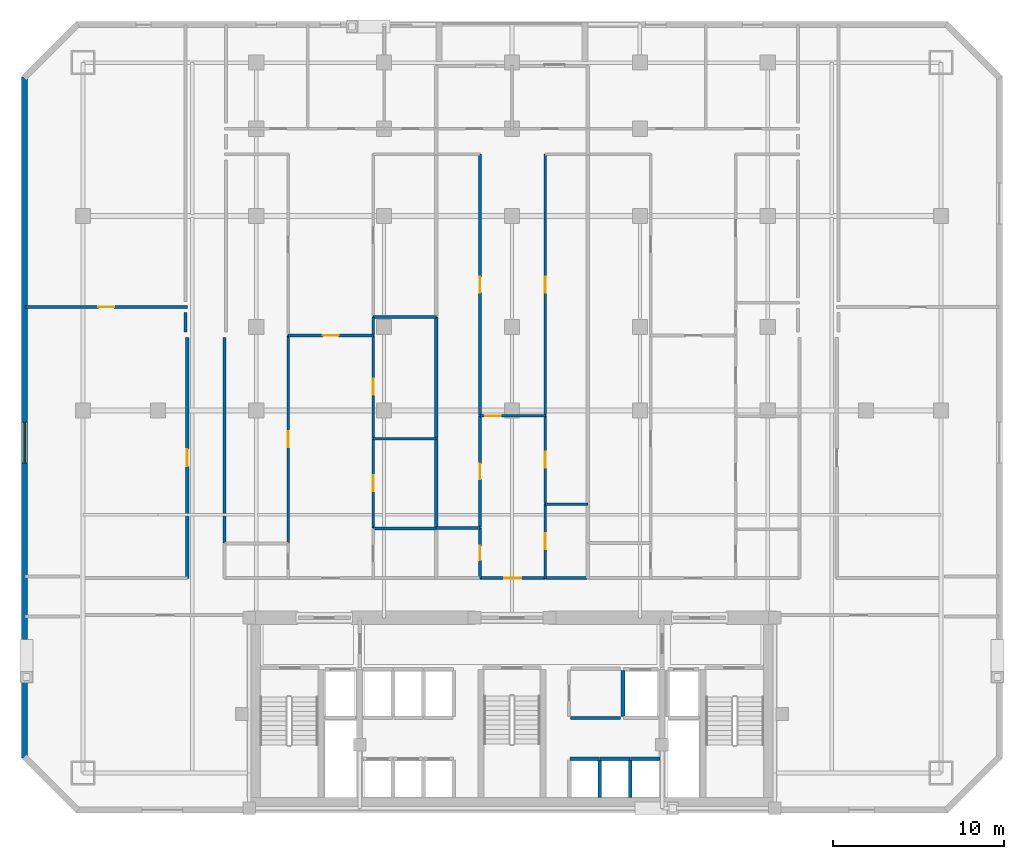
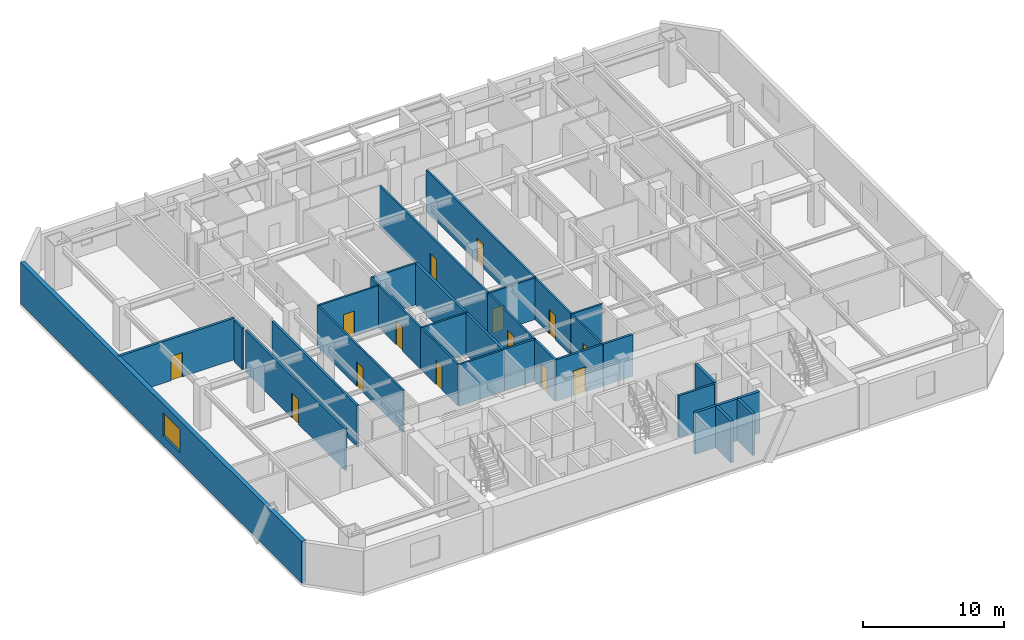
# One storey, part 4 of 9: 33 walls, 14 doors, 1 window, 15 openings.
"""IFC4 building model written with IfcOpenShell, lengths in metres."""

from ifc_helpers import new_model, si_unit, direction, frame, frame_2d, origin, place, context, subcontext, project, spatial, rectangle, extrude, material, layer, layer_set, type_object, element, fill, save


model = new_model("IFC4")

# Units and contexts
model_context = context("Model", 3, precision=1e-05, world=origin(), true_north=direction((0.0, 1.0)))
body_context = subcontext(model_context, "Body", "Model", "MODEL_VIEW")
ifc_project = project(units=[si_unit("LENGTHUNIT", "METRE"), si_unit("AREAUNIT", "SQUARE_METRE"), si_unit("VOLUMEUNIT", "CUBIC_METRE"), si_unit("PLANEANGLEUNIT", "RADIAN"), si_unit("MASSUNIT", "GRAM", prefix="KILO")], contexts=[model_context])

# Site, building, storey
site_placement = place(None, origin())
site = spatial("IfcSite", under=ifc_project, at=site_placement, CompositionType="ELEMENT")
building_placement = place(site_placement, origin())
building = spatial("IfcBuilding", under=site, at=building_placement, Name="Ventersveld Concourse Tower", CompositionType="ELEMENT")
storey_placement = place(building_placement, frame((0.0, 0.0, 45.199951171875)))
storey = spatial("IfcBuildingStorey", under=building, at=storey_placement, Name="L10", CompositionType="ELEMENT", Elevation=45.199951171875)

# Wall
ifc_material_1 = material(Name="Fire-rated autoclaved aerated masonry blockwork", Category="masonry")
ifc_layer_1 = layer(ifc_material_1, 0.179931640625)
ifc_layer_set_1 = layer_set([ifc_layer_1], Name="Fire-rated autoclaved aerated masonry blockwork")
wall_type_1 = type_object("IfcWallType", Name="WL-CORR-180", PredefinedType="PARTITIONING", material=ifc_layer_set_1)
wall_1_placement = place(storey_placement, frame((32.179931640625, 5.570068359375, 0.0), z_axis=(0.0, 0.0, 1.0), x_axis=(1.0, 0.0, 0.0)))
element("IfcWall", 1, at=wall_1_placement, inside=storey, type_object=wall_type_1, Name="L10 Core Bot Wall SP-L10-CBAY1", PredefinedType="PARTITIONING", context=body_context, shape_type="SweptSolid", body=[
    extrude(rectangle(XDim=2.920166015625, YDim=0.179931640625, at=frame_2d((1.4599609375, 0.0))), origin(), (0.0, 0.0, 1.0), 3.60009765625),
])

# Wall, opening, door
wall_2_placement = place(storey_placement, frame((9.7099609375, 13.764892578125, 0.0), z_axis=(0.0, 0.0, 1.0), x_axis=(0.0, 1.0, 0.0)))
wall_2 = element("IfcWall", 2, at=wall_2_placement, inside=storey, type_object=wall_type_1, Name="L10 Interior Partition SP-L10-COR-SP-L10-NWLNG1", PredefinedType="PARTITIONING", context=body_context, shape_type="SweptSolid", body=[
    extrude(rectangle(XDim=14.130126953125, YDim=0.179931640625, at=frame_2d((7.06494140625, 0.0))), origin(), (0.0, 0.0, 1.0), 3.60009765625),
])
opening_1_placement = place(wall_2_placement, frame((6.56494140625, 0.0, 0.0)))
opening_1 = element("IfcOpeningElement", 3, at=opening_1_placement, cuts=wall_2, Name="Opening FD3", PredefinedType="OPENING", context=body_context, shape_type="SweptSolid", body=[
    extrude(rectangle(XDim=1.0, YDim=2.14990234375, at=frame_2d((0.5, 1.074951171875))), frame((0.0, 0.10009765625, 0.0), z_axis=(0.0, -1.0, 0.0), x_axis=(1.0, 0.0, 0.0)), (0.0, 0.0, 1.0), 0.199951171875),
])
ifc_material_2 = material(Name="Solid-core hardwood veneer timber", Category="wood")
door_type_1 = type_object("IfcDoorType", Name="DR-FLAT-100", OperationType="NOTDEFINED", PredefinedType="DOOR", material=ifc_material_2)
door_1_placement = place(opening_1_placement, origin())
door_1 = element("IfcDoor", 4, at=door_1_placement, inside=storey, type_object=door_type_1, Name="L10 Interior Door SP-L10-COR to SP-L10-NWLNG1 (D-L10-0373)", OperationType="SINGLE_SWING_LEFT", OverallHeight=2.14990234375, OverallWidth=1.0, PredefinedType="DOOR", context=body_context, shape_type="SweptSolid", body=[
    extrude(rectangle(XDim=1.0, YDim=2.14990234375, at=frame_2d((0.5, 1.074951171875))), frame((0.0, 0.02490234375, 0.0), z_axis=(0.0, -1.0, 0.0), x_axis=(1.0, 0.0, 0.0)), (0.0, 0.0, 1.0), 0.050048828125),
])
fill(opening_1, door_1)

# Wall
wall_3_placement = place(storey_placement, frame((11.889892578125, 15.836181640625, 0.0), z_axis=(0.0, 0.0, 1.0), x_axis=(0.0, 1.0, 0.0)))
element("IfcWall", 5, at=wall_3_placement, inside=storey, type_object=wall_type_1, Name="L10 Interior Partition SP-L10-COR-SP-L10-10CW-OFFL0", PredefinedType="PARTITIONING", context=body_context, shape_type="SweptSolid", body=[
    extrude(rectangle(XDim=12.058837890625, YDim=0.179931640625, at=frame_2d((6.029296875, 0.0))), origin(), (0.0, 0.0, 1.0), 3.60009765625),
])

# Wall, opening, door
wall_4_placement = place(storey_placement, frame((26.8701171875, 13.77001953125, 0.0), z_axis=(0.0, 0.0, 1.0), x_axis=(1.0, 0.0, 0.0)))
wall_4 = element("IfcWall", 6, at=wall_4_placement, inside=storey, type_object=wall_type_1, Name="L10 Interior Partition SP-L10-COR-SP-L10-10CM-FOY", PredefinedType="PARTITIONING", context=body_context, shape_type="SweptSolid", body=[
    extrude(rectangle(XDim=3.83203125, YDim=0.179931640625, at=frame_2d((1.916015625, 0.0))), origin(), (0.0, 0.0, 1.0), 3.60009765625),
])
opening_2_placement = place(wall_4_placement, frame((1.416015625, 0.0, 0.0)))
opening_2 = element("IfcOpeningElement", 7, at=opening_2_placement, cuts=wall_4, Name="Opening FD3", PredefinedType="OPENING", context=body_context, shape_type="SweptSolid", body=[
    extrude(rectangle(XDim=1.0, YDim=2.14990234375, at=frame_2d((0.5, 1.074951171875))), frame((0.0, 0.10009765625, 0.0), z_axis=(0.0, -1.0, 0.0), x_axis=(1.0, 0.0, 0.0)), (0.0, 0.0, 1.0), 0.199951171875),
])
door_2_placement = place(opening_2_placement, origin())
door_2 = element("IfcDoor", 8, at=door_2_placement, inside=storey, type_object=door_type_1, Name="L10 Interior Door SP-L10-COR to SP-L10-10CM-FOY (FD-L10-0377)", OperationType="SINGLE_SWING_LEFT", OverallHeight=2.14990234375, OverallWidth=1.0, PredefinedType="DOOR", context=body_context, shape_type="SweptSolid", body=[
    extrude(rectangle(XDim=1.0, YDim=2.14990234375, at=frame_2d((0.5, 1.074951171875))), frame((0.0, 0.02490234375, 0.0), z_axis=(0.0, -1.0, 0.0), x_axis=(1.0, 0.0, 0.0)), (0.0, 0.0, 1.0), 0.050048828125),
])
fill(opening_2, door_2)

# Walls
wall_5_placement = place(storey_placement, frame((30.732177734375, 13.77001953125, 0.0), z_axis=(0.0, 0.0, 1.0), x_axis=(1.0, 0.0, 0.0)))
element("IfcWall", 9, at=wall_5_placement, inside=storey, type_object=wall_type_1, Name="L10 Interior Partition SP-L10-COR-SP-L10-10CM-KIT", PredefinedType="PARTITIONING", context=body_context, shape_type="SweptSolid", body=[
    extrude(rectangle(XDim=2.4228515625, YDim=0.179931640625, at=frame_2d((1.21142578125, 0.0))), origin(), (0.0, 0.0, 1.0), 3.60009765625),
])
wall_6_placement = place(storey_placement, frame((9.6201171875, 29.344970703125, 0.0), z_axis=(0.0, 0.0, 1.0), x_axis=(0.0, -1.0, 0.0)))
element("IfcWall", 10, at=wall_6_placement, inside=storey, type_object=wall_type_1, Name="L10 Room Enclosure Wall SP-L10-NWLNG1", PredefinedType="PARTITIONING", context=body_context, shape_type="SweptSolid", body=[
    extrude(rectangle(XDim=1.135009765625, YDim=0.179931640625, at=frame_2d((0.5673828125, 0.0))), origin(), (0.0, 0.0, 1.0), 3.60009765625),
])

# Wall, opening, door
ifc_layer_2 = layer(ifc_material_1, 0.199951171875)
ifc_layer_set_2 = layer_set([ifc_layer_2], Name="Fire-rated autoclaved aerated masonry blockwork")
wall_type_2 = type_object("IfcWallType", Name="WL-DEMISE-200", PredefinedType="PARTITIONING", material=ifc_layer_set_2)
wall_7_placement = place(storey_placement, frame((0.2099609375, 29.669921875, 0.0), z_axis=(0.0, 0.0, 1.0), x_axis=(1.0, 0.0, 0.0)))
wall_7 = element("IfcWall", 11, at=wall_7_placement, inside=storey, type_object=wall_type_2, Name="L10 Interior Partition SP-L10-NWLNG1-SP-L10-NWLNG2", PredefinedType="PARTITIONING", context=body_context, shape_type="SweptSolid", body=[
    extrude(rectangle(XDim=9.505126953125, YDim=0.199951171875, at=frame_2d((4.75244140625, 0.0))), origin(), (0.0, 0.0, 1.0), 3.60009765625),
])
opening_3_placement = place(wall_7_placement, frame((4.29248046875, 0.0, 0.0)))
opening_3 = element("IfcOpeningElement", 12, at=opening_3_placement, cuts=wall_7, Name="Opening ID1", PredefinedType="OPENING", context=body_context, shape_type="SweptSolid", body=[
    extrude(rectangle(XDim=0.919921875, YDim=2.10009765625, at=frame_2d((0.4599609375, 1.050048828125))), frame((0.0, 0.10986328125, 0.0), z_axis=(0.0, -1.0, 0.0), x_axis=(1.0, 0.0, 0.0)), (0.0, 0.0, 1.0), 0.219970703125),
])
door_type_2 = type_object("IfcDoorType", Name="DR-ROOM-092", OperationType="NOTDEFINED", PredefinedType="DOOR", material=ifc_material_2)
door_3_placement = place(opening_3_placement, origin())
door_3 = element("IfcDoor", 13, at=door_3_placement, inside=storey, type_object=door_type_2, Name="L10 Interior Door SP-L10-NWLNG1 to SP-L10-NWLNG2 (D-L10-0378)", OperationType="SINGLE_SWING_RIGHT", OverallHeight=2.10009765625, OverallWidth=0.919921875, PredefinedType="DOOR", context=body_context, shape_type="SweptSolid", body=[
    extrude(rectangle(XDim=0.919921875, YDim=2.10009765625, at=frame_2d((0.4599609375, 1.050048828125))), frame((0.0, 0.02490234375, 0.0), z_axis=(0.0, -1.0, 0.0), x_axis=(1.0, 0.0, 0.0)), (0.0, 0.0, 1.0), 0.050048828125),
])
fill(opening_3, door_3)

# Walls
wall_8_placement = place(storey_placement, frame((24.31005859375, 16.716552734375, 0.0), z_axis=(0.0, 0.0, 1.0), x_axis=(0.0, 1.0, 0.0)))
element("IfcWall", 14, at=wall_8_placement, inside=storey, type_object=wall_type_2, Name="L10 Interior Partition SP-L10-10CW-MEDR1-SP-L10-10CM-MEDL0", PredefinedType="PARTITIONING", context=body_context, shape_type="SweptSolid", body=[
    extrude(rectangle(XDim=5.242431640625, YDim=0.199951171875, at=frame_2d((2.62109375, 0.0))), origin(), (0.0, 0.0, 1.0), 3.60009765625),
])
wall_9_placement = place(storey_placement, frame((24.31005859375, 21.989013671875, 0.0), z_axis=(0.0, 0.0, 1.0), x_axis=(0.0, 1.0, 0.0)))
element("IfcWall", 15, at=wall_9_placement, inside=storey, type_object=wall_type_2, Name="L10 Interior Partition SP-L10-10CW-DENS-SP-L10-10CM-MEDL0", PredefinedType="PARTITIONING", context=body_context, shape_type="SweptSolid", body=[
    extrude(rectangle(XDim=7.099365234375, YDim=0.199951171875, at=frame_2d((3.5498046875, 0.0))), origin(), (0.0, 0.0, 1.0), 3.60009765625),
])
ifc_layer_3 = layer(ifc_material_1, 0.219970703125)
ifc_layer_set_3 = layer_set([ifc_layer_3], Name="Fire-rated autoclaved aerated masonry blockwork")
wall_type_3 = type_object("IfcWallType", Name="WL-HOIST-220", PredefinedType="SOLIDWALL", material=ifc_layer_set_3)
wall_10_placement = place(storey_placement, frame((35.260009765625, 5.64990234375, 0.0), z_axis=(0.0, 0.0, 1.0), x_axis=(0.0, 1.0, 0.0)))
element("IfcWall", 16, at=wall_10_placement, inside=storey, type_object=wall_type_3, Name="L10 Lift Hoistway Side Wall SVL-01W", PredefinedType="SOLIDWALL", context=body_context, shape_type="SweptSolid", body=[
    extrude(rectangle(XDim=2.7001953125, YDim=0.219970703125, at=frame_2d((1.35009765625, 0.0))), origin(), (0.0, 0.0, 1.0), 3.60009765625),
])
wall_11_placement = place(storey_placement, frame((33.89990234375, 0.89990234375, 0.0), z_axis=(0.0, 0.0, 1.0), x_axis=(0.0, 1.0, 0.0)))
element("IfcWall", 17, at=wall_11_placement, inside=storey, type_object=wall_type_3, Name="L10 Lift Hoistway Side Wall PM-01E", PredefinedType="SOLIDWALL", context=body_context, shape_type="SweptSolid", body=[
    extrude(rectangle(XDim=2.2001953125, YDim=0.219970703125, at=frame_2d((1.10009765625, 0.0))), origin(), (0.0, 0.0, 1.0), 3.60009765625),
])
wall_12_placement = place(storey_placement, frame((32.139892578125, 3.179931640625, 0.0), z_axis=(0.0, 0.0, 1.0), x_axis=(1.0, 0.0, 0.0)))
element("IfcWall", 18, at=wall_12_placement, inside=storey, type_object=wall_type_3, Name="L10 Lift Hoistway Front Wall PM-01", PredefinedType="SOLIDWALL", context=body_context, shape_type="SweptSolid", body=[
    extrude(rectangle(XDim=1.739990234375, YDim=0.219970703125, at=frame_2d((0.8701171875, 0.0))), origin(), (0.0, 0.0, 1.0), 3.60009765625),
])
wall_13_placement = place(storey_placement, frame((35.679931640625, 0.89990234375, 0.0), z_axis=(0.0, 0.0, 1.0), x_axis=(0.0, 1.0, 0.0)))
element("IfcWall", 19, at=wall_13_placement, inside=storey, type_object=wall_type_3, Name="L10 Lift Hoistway Side Wall PM-02E", PredefinedType="SOLIDWALL", context=body_context, shape_type="SweptSolid", body=[
    extrude(rectangle(XDim=2.2001953125, YDim=0.219970703125, at=frame_2d((1.10009765625, 0.0))), origin(), (0.0, 0.0, 1.0), 3.60009765625),
])
for number, where, z_axis, x_axis, name in (
    (20, (33.919921875, 3.179931640625, 0.0), (0.0, 0.0, 1.0), (1.0, 0.0, 0.0), "L10 Lift Hoistway Front Wall PM-02"),
    (21, (35.699951171875, 3.179931640625, 0.0), (0.0, 0.0, 1.0), (1.0, 0.0, 0.0), "L10 Lift Hoistway Front Wall PM-03"),
):
    element("IfcWall", number, at=place(storey_placement, frame(where, z_axis=z_axis, x_axis=x_axis)), inside=storey, type_object=wall_type_3, Name=name, PredefinedType="SOLIDWALL", context=body_context, shape_type="SweptSolid", body=[
        extrude(rectangle(XDim=1.739990234375, YDim=0.219970703125, at=frame_2d((0.8701171875, 0.0))), origin(), (0.0, 0.0, 1.0), 3.60009765625),
    ])

# Wall, opening, door
ifc_material_3 = material(Name="Autoclaved aerated masonry blockwork", Category="masonry")
ifc_layer_4 = layer(ifc_material_3, 0.14990234375)
ifc_layer_set_4 = layer_set([ifc_layer_4], Name="Autoclaved aerated masonry blockwork")
wall_type_4 = type_object("IfcWallType", Name="WL-INT-150", PredefinedType="PARTITIONING", material=ifc_layer_set_4)
wall_14_placement = place(storey_placement, frame((15.630615234375, 27.999267578125, 0.0), z_axis=(0.0, 0.0, 1.0), x_axis=(1.0, 0.0, 0.0)))
wall_14 = element("IfcWall", 22, at=wall_14_placement, inside=storey, type_object=wall_type_4, Name="L10 Interior Partition SP-L10-10CW-FOY-SP-L10-10CW-LIV", PredefinedType="PARTITIONING", context=body_context, shape_type="SweptSolid", body=[
    extrude(rectangle(XDim=4.989990234375, YDim=0.14990234375, at=frame_2d((2.4951171875, 0.0))), origin(), (0.0, 0.0, 1.0), 3.60009765625),
])
opening_4_placement = place(wall_14_placement, frame((2.034912109375, 0.0, 0.0)))
opening_4 = element("IfcOpeningElement", 23, at=opening_4_placement, cuts=wall_14, Name="Opening ID1", PredefinedType="OPENING", context=body_context, shape_type="SweptSolid", body=[
    extrude(rectangle(XDim=0.919921875, YDim=2.10009765625, at=frame_2d((0.4599609375, 1.050048828125))), frame((0.0, 0.0849609375, 0.0), z_axis=(0.0, -1.0, 0.0), x_axis=(1.0, 0.0, 0.0)), (0.0, 0.0, 1.0), 0.169921875),
])
door_4_placement = place(opening_4_placement, origin())
door_4 = element("IfcDoor", 24, at=door_4_placement, inside=storey, type_object=door_type_2, Name="L10 Interior Door SP-L10-10CW-FOY to SP-L10-10CW-LIV (D-L10-0380)", OperationType="SINGLE_SWING_RIGHT", OverallHeight=2.10009765625, OverallWidth=0.919921875, PredefinedType="DOOR", context=body_context, shape_type="SweptSolid", body=[
    extrude(rectangle(XDim=0.919921875, YDim=2.10009765625, at=frame_2d((0.4599609375, 1.050048828125))), frame((0.0, 0.02490234375, 0.0), z_axis=(0.0, -1.0, 0.0), x_axis=(1.0, 0.0, 0.0)), (0.0, 0.0, 1.0), 0.050048828125),
])
fill(opening_4, door_4)

wall_15_placement = place(storey_placement, frame((15.635498046875, 15.836181640625, 0.0), z_axis=(0.0, 0.0, 1.0), x_axis=(0.0, 1.0, 0.0)))
wall_15 = element("IfcWall", 25, at=wall_15_placement, inside=storey, type_object=wall_type_4, Name="L10 Interior Partition SP-L10-10CW-FOY-SP-L10-10CW-OFFL0", PredefinedType="PARTITIONING", context=body_context, shape_type="SweptSolid", body=[
    extrude(rectangle(XDim=12.168212890625, YDim=0.14990234375, at=frame_2d((6.083984375, 0.0))), origin(), (0.0, 0.0, 1.0), 3.60009765625),
])
opening_5_placement = place(wall_15_placement, frame((5.6240234375, 0.0, 0.0)))
opening_5 = element("IfcOpeningElement", 26, at=opening_5_placement, cuts=wall_15, Name="Opening ID1", PredefinedType="OPENING", context=body_context, shape_type="SweptSolid", body=[
    extrude(rectangle(XDim=0.919921875, YDim=2.10009765625, at=frame_2d((0.4599609375, 1.050048828125))), frame((0.0, 0.0849609375, 0.0), z_axis=(0.0, -1.0, 0.0), x_axis=(1.0, 0.0, 0.0)), (0.0, 0.0, 1.0), 0.169921875),
])
door_5_placement = place(opening_5_placement, origin())
door_5 = element("IfcDoor", 27, at=door_5_placement, inside=storey, type_object=door_type_2, Name="L10 Interior Door SP-L10-10CW-FOY to SP-L10-10CW-OFFL0 (D-L10-0382)", OperationType="SINGLE_SWING_RIGHT", OverallHeight=2.10009765625, OverallWidth=0.919921875, PredefinedType="DOOR", context=body_context, shape_type="SweptSolid", body=[
    extrude(rectangle(XDim=0.919921875, YDim=2.10009765625, at=frame_2d((0.4599609375, 1.050048828125))), frame((0.0, 0.02490234375, 0.0), z_axis=(0.0, -1.0, 0.0), x_axis=(1.0, 0.0, 0.0)), (0.0, 0.0, 1.0), 0.050048828125),
])
fill(opening_5, door_5)

wall_16_placement = place(storey_placement, frame((20.615478515625, 16.716552734375, 0.0), z_axis=(0.0, 0.0, 1.0), x_axis=(0.0, 1.0, 0.0)))
wall_16 = element("IfcWall", 28, at=wall_16_placement, inside=storey, type_object=wall_type_4, Name="L10 Interior Partition SP-L10-10CW-FOY-SP-L10-10CW-MEDR1", PredefinedType="PARTITIONING", context=body_context, shape_type="SweptSolid", body=[
    extrude(rectangle(XDim=5.242431640625, YDim=0.14990234375, at=frame_2d((2.62109375, 0.0))), origin(), (0.0, 0.0, 1.0), 3.60009765625),
])
opening_6_placement = place(wall_16_placement, frame((2.1611328125, 0.0, 0.0)))
opening_6 = element("IfcOpeningElement", 29, at=opening_6_placement, cuts=wall_16, Name="Opening ID1", PredefinedType="OPENING", context=body_context, shape_type="SweptSolid", body=[
    extrude(rectangle(XDim=0.919921875, YDim=2.10009765625, at=frame_2d((0.4599609375, 1.050048828125))), frame((0.0, 0.0849609375, 0.0), z_axis=(0.0, -1.0, 0.0), x_axis=(1.0, 0.0, 0.0)), (0.0, 0.0, 1.0), 0.169921875),
])
door_6_placement = place(opening_6_placement, origin())
door_6 = element("IfcDoor", 30, at=door_6_placement, inside=storey, type_object=door_type_2, Name="L10 Interior Door SP-L10-10CW-FOY to SP-L10-10CW-MEDR1 (D-L10-0384)", OperationType="SINGLE_SWING_RIGHT", OverallHeight=2.10009765625, OverallWidth=0.919921875, PredefinedType="DOOR", context=body_context, shape_type="SweptSolid", body=[
    extrude(rectangle(XDim=0.919921875, YDim=2.10009765625, at=frame_2d((0.4599609375, 1.050048828125))), frame((0.0, 0.02490234375, 0.0), z_axis=(0.0, -1.0, 0.0), x_axis=(1.0, 0.0, 0.0)), (0.0, 0.0, 1.0), 0.050048828125),
])
fill(opening_6, door_6)

wall_17_placement = place(storey_placement, frame((20.615478515625, 21.989013671875, 0.0), z_axis=(0.0, 0.0, 1.0), x_axis=(0.0, 1.0, 0.0)))
wall_17 = element("IfcWall", 31, at=wall_17_placement, inside=storey, type_object=wall_type_4, Name="L10 Interior Partition SP-L10-10CW-FOY-SP-L10-10CW-DENS", PredefinedType="PARTITIONING", context=body_context, shape_type="SweptSolid", body=[
    extrude(rectangle(XDim=6.015380859375, YDim=0.14990234375, at=frame_2d((3.0078125, 0.0))), origin(), (0.0, 0.0, 1.0), 3.60009765625),
])
opening_7_placement = place(wall_17_placement, frame((2.547607421875, 0.0, 0.0)))
opening_7 = element("IfcOpeningElement", 32, at=opening_7_placement, cuts=wall_17, Name="Opening ID1", PredefinedType="OPENING", context=body_context, shape_type="SweptSolid", body=[
    extrude(rectangle(XDim=0.919921875, YDim=2.10009765625, at=frame_2d((0.4599609375, 1.050048828125))), frame((0.0, 0.0849609375, 0.0), z_axis=(0.0, -1.0, 0.0), x_axis=(1.0, 0.0, 0.0)), (0.0, 0.0, 1.0), 0.169921875),
])
door_7_placement = place(opening_7_placement, origin())
door_7 = element("IfcDoor", 33, at=door_7_placement, inside=storey, type_object=door_type_2, Name="L10 Interior Door SP-L10-10CW-FOY to SP-L10-10CW-DENS (D-L10-0385)", OperationType="SINGLE_SWING_LEFT", OverallHeight=2.10009765625, OverallWidth=0.919921875, PredefinedType="DOOR", context=body_context, shape_type="SweptSolid", body=[
    extrude(rectangle(XDim=0.919921875, YDim=2.10009765625, at=frame_2d((0.4599609375, 1.050048828125))), frame((0.0, 0.02490234375, 0.0), z_axis=(0.0, -1.0, 0.0), x_axis=(1.0, 0.0, 0.0)), (0.0, 0.0, 1.0), 0.050048828125),
])
fill(opening_7, door_7)

# Walls
wall_18_placement = place(storey_placement, frame((20.615478515625, 28.0341796875, 0.0), z_axis=(0.0, 0.0, 1.0), x_axis=(0.0, 1.0, 0.0)))
element("IfcWall", 34, at=wall_18_placement, inside=storey, type_object=wall_type_4, Name="L10 Interior Partition SP-L10-10CW-LIV-SP-L10-10CW-DENS", PredefinedType="PARTITIONING", context=body_context, shape_type="SweptSolid", body=[
    extrude(rectangle(XDim=1.05419921875, YDim=0.14990234375, at=frame_2d((0.527099609375, 0.0))), origin(), (0.0, 0.0, 1.0), 3.60009765625),
])
for number, where, z_axis, x_axis, name in (
    (35, (20.610595703125, 16.681396484375, 0.0), (0.0, 0.0, 1.0), (1.0, 0.0, 0.0), "L10 Interior Partition SP-L10-10CW-KIT-SP-L10-10CW-MEDR1"),
    (36, (20.610595703125, 21.9541015625, 0.0), (0.0, 0.0, 1.0), (1.0, 0.0, 0.0), "L10 Interior Partition SP-L10-10CW-MEDR1-SP-L10-10CW-DENS"),
    (37, (20.610595703125, 29.08349609375, 0.0), (0.0, 0.0, 1.0), (1.0, 0.0, 0.0), "L10 Interior Partition SP-L10-10CW-DENS-SP-L10-10CW-DENS2"),
):
    element("IfcWall", number, at=place(storey_placement, frame(where, z_axis=z_axis, x_axis=x_axis)), inside=storey, type_object=wall_type_4, Name=name, PredefinedType="PARTITIONING", context=body_context, shape_type="SweptSolid", body=[
        extrude(rectangle(XDim=3.704345703125, YDim=0.14990234375, at=frame_2d((1.85205078125, 0.0))), origin(), (0.0, 0.0, 1.0), 3.60009765625),
    ])

# Wall, opening, door
wall_19_placement = place(storey_placement, frame((26.8701171875, 23.2822265625, 0.0), z_axis=(0.0, 0.0, 1.0), x_axis=(1.0, 0.0, 0.0)))
wall_19 = element("IfcWall", 38, at=wall_19_placement, inside=storey, type_object=wall_type_4, Name="L10 Interior Partition SP-L10-10CM-FOY-SP-L10-10CM-LIV", PredefinedType="PARTITIONING", context=body_context, shape_type="SweptSolid", body=[
    extrude(rectangle(XDim=3.83203125, YDim=0.14990234375, at=frame_2d((1.916015625, 0.0))), origin(), (0.0, 0.0, 1.0), 3.60009765625),
])
opening_8_placement = place(wall_19_placement, frame((0.306396484375, 0.0, 0.0)))
opening_8 = element("IfcOpeningElement", 39, at=opening_8_placement, cuts=wall_19, Name="Opening ID1", PredefinedType="OPENING", context=body_context, shape_type="SweptSolid", body=[
    extrude(rectangle(XDim=0.919921875, YDim=2.10009765625, at=frame_2d((0.4599609375, 1.050048828125))), frame((0.0, 0.0849609375, 0.0), z_axis=(0.0, -1.0, 0.0), x_axis=(1.0, 0.0, 0.0)), (0.0, 0.0, 1.0), 0.169921875),
])
door_8_placement = place(opening_8_placement, origin())
door_8 = element("IfcDoor", 40, at=door_8_placement, inside=storey, type_object=door_type_2, Name="L10 Interior Door SP-L10-10CM-FOY to SP-L10-10CM-LIV (D-L10-0402)", OperationType="SINGLE_SWING_RIGHT", OverallHeight=2.10009765625, OverallWidth=0.919921875, PredefinedType="DOOR", context=body_context, shape_type="SweptSolid", body=[
    extrude(rectangle(XDim=0.919921875, YDim=2.10009765625, at=frame_2d((0.4599609375, 1.050048828125))), frame((0.0, 0.02490234375, 0.0), z_axis=(0.0, -1.0, 0.0), x_axis=(1.0, 0.0, 0.0)), (0.0, 0.0, 1.0), 0.050048828125),
])
fill(opening_8, door_8)

wall_20_placement = place(storey_placement, frame((26.875244140625, 16.752197265625, 0.0), z_axis=(0.0, 0.0, 1.0), x_axis=(0.0, 1.0, 0.0)))
wall_20 = element("IfcWall", 41, at=wall_20_placement, inside=storey, type_object=wall_type_4, Name="L10 Interior Partition SP-L10-10CM-FOY-SP-L10-10CM-MEDL0", PredefinedType="PARTITIONING", context=body_context, shape_type="SweptSolid", body=[
    extrude(rectangle(XDim=6.534912109375, YDim=0.14990234375, at=frame_2d((3.267578125, 0.0))), origin(), (0.0, 0.0, 1.0), 3.60009765625),
])
opening_9_placement = place(wall_20_placement, frame((2.8076171875, 0.0, 0.0)))
opening_9 = element("IfcOpeningElement", 42, at=opening_9_placement, cuts=wall_20, Name="Opening ID1", PredefinedType="OPENING", context=body_context, shape_type="SweptSolid", body=[
    extrude(rectangle(XDim=0.919921875, YDim=2.10009765625, at=frame_2d((0.4599609375, 1.050048828125))), frame((0.0, 0.0849609375, 0.0), z_axis=(0.0, -1.0, 0.0), x_axis=(1.0, 0.0, 0.0)), (0.0, 0.0, 1.0), 0.169921875),
])
door_9_placement = place(opening_9_placement, origin())
door_9 = element("IfcDoor", 43, at=door_9_placement, inside=storey, type_object=door_type_2, Name="L10 Interior Door SP-L10-10CM-FOY to SP-L10-10CM-MEDL0 (D-L10-0404)", OperationType="SINGLE_SWING_RIGHT", OverallHeight=2.10009765625, OverallWidth=0.919921875, PredefinedType="DOOR", context=body_context, shape_type="SweptSolid", body=[
    extrude(rectangle(XDim=0.919921875, YDim=2.10009765625, at=frame_2d((0.4599609375, 1.050048828125))), frame((0.0, 0.02490234375, 0.0), z_axis=(0.0, -1.0, 0.0), x_axis=(1.0, 0.0, 0.0)), (0.0, 0.0, 1.0), 0.050048828125),
])
fill(opening_9, door_9)

wall_21_placement = place(storey_placement, frame((30.697265625, 13.764892578125, 0.0), z_axis=(0.0, 0.0, 1.0), x_axis=(0.0, 1.0, 0.0)))
wall_21 = element("IfcWall", 44, at=wall_21_placement, inside=storey, type_object=wall_type_4, Name="L10 Interior Partition SP-L10-10CM-FOY-SP-L10-10CM-KIT", PredefinedType="PARTITIONING", context=body_context, shape_type="SweptSolid", body=[
    extrude(rectangle(XDim=4.3408203125, YDim=0.14990234375, at=frame_2d((2.17041015625, 0.0))), origin(), (0.0, 0.0, 1.0), 3.60009765625),
])
opening_10_placement = place(wall_21_placement, frame((1.71044921875, 0.0, 0.0)))
opening_10 = element("IfcOpeningElement", 45, at=opening_10_placement, cuts=wall_21, Name="Opening ID1", PredefinedType="OPENING", context=body_context, shape_type="SweptSolid", body=[
    extrude(rectangle(XDim=0.919921875, YDim=2.10009765625, at=frame_2d((0.4599609375, 1.050048828125))), frame((0.0, 0.0849609375, 0.0), z_axis=(0.0, -1.0, 0.0), x_axis=(1.0, 0.0, 0.0)), (0.0, 0.0, 1.0), 0.169921875),
])
door_10_placement = place(opening_10_placement, origin())
door_10 = element("IfcDoor", 46, at=door_10_placement, inside=storey, type_object=door_type_2, Name="L10 Interior Door SP-L10-10CM-FOY to SP-L10-10CM-KIT (D-L10-0405)", OperationType="SINGLE_SWING_LEFT", OverallHeight=2.10009765625, OverallWidth=0.919921875, PredefinedType="DOOR", context=body_context, shape_type="SweptSolid", body=[
    extrude(rectangle(XDim=0.919921875, YDim=2.10009765625, at=frame_2d((0.4599609375, 1.050048828125))), frame((0.0, 0.02490234375, 0.0), z_axis=(0.0, -1.0, 0.0), x_axis=(1.0, 0.0, 0.0)), (0.0, 0.0, 1.0), 0.050048828125),
])
fill(opening_10, door_10)

wall_22_placement = place(storey_placement, frame((30.697265625, 18.1357421875, 0.0), z_axis=(0.0, 0.0, 1.0), x_axis=(0.0, 1.0, 0.0)))
wall_22 = element("IfcWall", 47, at=wall_22_placement, inside=storey, type_object=wall_type_4, Name="L10 Interior Partition SP-L10-10CM-FOY-SP-L10-10CM-DENR", PredefinedType="PARTITIONING", context=body_context, shape_type="SweptSolid", body=[
    extrude(rectangle(XDim=5.1513671875, YDim=0.14990234375, at=frame_2d((2.57568359375, 0.0))), origin(), (0.0, 0.0, 1.0), 3.60009765625),
])
opening_11_placement = place(wall_22_placement, frame((2.11572265625, 0.0, 0.0)))
opening_11 = element("IfcOpeningElement", 48, at=opening_11_placement, cuts=wall_22, Name="Opening ID1", PredefinedType="OPENING", context=body_context, shape_type="SweptSolid", body=[
    extrude(rectangle(XDim=0.919921875, YDim=2.10009765625, at=frame_2d((0.4599609375, 1.050048828125))), frame((0.0, 0.0849609375, 0.0), z_axis=(0.0, -1.0, 0.0), x_axis=(1.0, 0.0, 0.0)), (0.0, 0.0, 1.0), 0.169921875),
])
door_11_placement = place(opening_11_placement, origin())
door_11 = element("IfcDoor", 49, at=door_11_placement, inside=storey, type_object=door_type_2, Name="L10 Interior Door SP-L10-10CM-FOY to SP-L10-10CM-DENR (D-L10-0406)", OperationType="SINGLE_SWING_RIGHT", OverallHeight=2.10009765625, OverallWidth=0.919921875, PredefinedType="DOOR", context=body_context, shape_type="SweptSolid", body=[
    extrude(rectangle(XDim=0.919921875, YDim=2.10009765625, at=frame_2d((0.4599609375, 1.050048828125))), frame((0.0, 0.02490234375, 0.0), z_axis=(0.0, -1.0, 0.0), x_axis=(1.0, 0.0, 0.0)), (0.0, 0.0, 1.0), 0.050048828125),
])
fill(opening_11, door_11)

wall_23_placement = place(storey_placement, frame((26.875244140625, 23.317138671875, 0.0), z_axis=(0.0, 0.0, 1.0), x_axis=(0.0, 1.0, 0.0)))
wall_23 = element("IfcWall", 50, at=wall_23_placement, inside=storey, type_object=wall_type_4, Name="L10 Interior Partition SP-L10-10CM-LIV-SP-L10-10CM-MEDL0", PredefinedType="PARTITIONING", context=body_context, shape_type="SweptSolid", body=[
    extrude(rectangle(XDim=15.307861328125, YDim=0.14990234375, at=frame_2d((7.65380859375, 0.0))), origin(), (0.0, 0.0, 1.0), 3.60009765625),
])
opening_12_placement = place(wall_23_placement, frame((7.19384765625, 0.0, 0.0)))
opening_12 = element("IfcOpeningElement", 51, at=opening_12_placement, cuts=wall_23, Name="Opening ID1", PredefinedType="OPENING", context=body_context, shape_type="SweptSolid", body=[
    extrude(rectangle(XDim=0.919921875, YDim=2.10009765625, at=frame_2d((0.4599609375, 1.050048828125))), frame((0.0, 0.0849609375, 0.0), z_axis=(0.0, -1.0, 0.0), x_axis=(1.0, 0.0, 0.0)), (0.0, 0.0, 1.0), 0.169921875),
])
door_12_placement = place(opening_12_placement, origin())
door_12 = element("IfcDoor", 52, at=door_12_placement, inside=storey, type_object=door_type_2, Name="L10 Interior Door SP-L10-10CM-LIV to SP-L10-10CM-MEDL0 (D-L10-0407)", OperationType="SINGLE_SWING_LEFT", OverallHeight=2.10009765625, OverallWidth=0.919921875, PredefinedType="DOOR", context=body_context, shape_type="SweptSolid", body=[
    extrude(rectangle(XDim=0.919921875, YDim=2.10009765625, at=frame_2d((0.4599609375, 1.050048828125))), frame((0.0, 0.02490234375, 0.0), z_axis=(0.0, -1.0, 0.0), x_axis=(1.0, 0.0, 0.0)), (0.0, 0.0, 1.0), 0.050048828125),
])
fill(opening_12, door_12)

wall_24_placement = place(storey_placement, frame((30.697265625, 23.317138671875, 0.0), z_axis=(0.0, 0.0, 1.0), x_axis=(0.0, 1.0, 0.0)))
wall_24 = element("IfcWall", 53, at=wall_24_placement, inside=storey, type_object=wall_type_4, Name="L10 Interior Partition SP-L10-10CM-LIV-SP-L10-10CM-DENR", PredefinedType="PARTITIONING", context=body_context, shape_type="SweptSolid", body=[
    extrude(rectangle(XDim=15.307861328125, YDim=0.14990234375, at=frame_2d((7.65380859375, 0.0))), origin(), (0.0, 0.0, 1.0), 3.60009765625),
])
opening_13_placement = place(wall_24_placement, frame((7.19384765625, 0.0, 0.0)))
opening_13 = element("IfcOpeningElement", 54, at=opening_13_placement, cuts=wall_24, Name="Opening ID1", PredefinedType="OPENING", context=body_context, shape_type="SweptSolid", body=[
    extrude(rectangle(XDim=0.919921875, YDim=2.10009765625, at=frame_2d((0.4599609375, 1.050048828125))), frame((0.0, 0.0849609375, 0.0), z_axis=(0.0, -1.0, 0.0), x_axis=(1.0, 0.0, 0.0)), (0.0, 0.0, 1.0), 0.169921875),
])
door_13_placement = place(opening_13_placement, origin())
door_13 = element("IfcDoor", 55, at=door_13_placement, inside=storey, type_object=door_type_2, Name="L10 Interior Door SP-L10-10CM-LIV to SP-L10-10CM-DENR (D-L10-0408)", OperationType="SINGLE_SWING_RIGHT", OverallHeight=2.10009765625, OverallWidth=0.919921875, PredefinedType="DOOR", context=body_context, shape_type="SweptSolid", body=[
    extrude(rectangle(XDim=0.919921875, YDim=2.10009765625, at=frame_2d((0.4599609375, 1.050048828125))), frame((0.0, 0.02490234375, 0.0), z_axis=(0.0, -1.0, 0.0), x_axis=(1.0, 0.0, 0.0)), (0.0, 0.0, 1.0), 0.050048828125),
])
fill(opening_13, door_13)

# Wall
wall_25_placement = place(storey_placement, frame((30.692138671875, 18.100830078125, 0.0), z_axis=(0.0, 0.0, 1.0), x_axis=(1.0, 0.0, 0.0)))
element("IfcWall", 56, at=wall_25_placement, inside=storey, type_object=wall_type_4, Name="L10 Interior Partition SP-L10-10CM-KIT-SP-L10-10CM-DENR", PredefinedType="PARTITIONING", context=body_context, shape_type="SweptSolid", body=[
    extrude(rectangle(XDim=2.5029296875, YDim=0.14990234375, at=frame_2d((1.25146484375, 0.0))), origin(), (0.0, 0.0, 1.0), 3.60009765625),
])

# Wall, opening, window
ifc_material_4 = material(Name="Precast concrete C45/55", Category="concrete")
ifc_layer_5 = layer(ifc_material_4, 0.35009765625)
ifc_layer_set_5 = layer_set([ifc_layer_5], Name="Precast concrete C45/55")
wall_type_5 = type_object("IfcWallType", Name="WL-PREC-350", PredefinedType="SOLIDWALL", material=ifc_layer_set_5)
wall_26_placement = place(storey_placement, frame((0.175048828125, 43.159912109375, 0.0), z_axis=(0.0, 0.0, 1.0), x_axis=(0.0, -1.0, 0.0)))
wall_26 = element("IfcWall", 57, at=wall_26_placement, inside=storey, type_object=wall_type_5, Name="L10 Highveld Precast Facade Wall E11", PredefinedType="SOLIDWALL", context=body_context, shape_type="SweptSolid", body=[
    extrude(rectangle(XDim=39.919921875, YDim=0.35009765625, at=frame_2d((19.9599609375, 0.0))), origin(), (0.0, 0.0, 1.0), 3.60009765625),
])
opening_14_placement = place(wall_26_placement, frame((20.239990234375, 0.0, 0.85009765625)))
opening_14 = element("IfcOpeningElement", 58, at=opening_14_placement, cuts=wall_26, Name="Opening W5", PredefinedType="OPENING", context=body_context, shape_type="SweptSolid", body=[
    extrude(rectangle(XDim=2.39990234375, YDim=2.0, at=frame_2d((1.199951171875, 1.0))), frame((0.0, 0.18505859375, 0.0), z_axis=(0.0, -1.0, 0.0), x_axis=(1.0, 0.0, 0.0)), (0.0, 0.0, 1.0), 0.3701171875),
])
ifc_material_5 = material(Name="Tempered acoustic Low-E IGU", Category="glass")
window_type = type_object("IfcWindowType", Name="WIN-240x210", PartitioningType="SINGLE_PANEL", PredefinedType="WINDOW", material=ifc_material_5)
window_placement = place(opening_14_placement, origin())
window = element("IfcWindow", 59, at=window_placement, inside=storey, type_object=window_type, Name="L10 Punched Low-E Window W-0051", OverallHeight=2.0, OverallWidth=2.39990234375, PartitioningType="SINGLE_PANEL", PredefinedType="WINDOW", context=body_context, shape_type="SweptSolid", body=[
    extrude(rectangle(XDim=2.39990234375, YDim=2.0, at=frame_2d((1.199951171875, 1.0))), frame((0.0, 0.030029296875, 0.0), z_axis=(0.0, -1.0, 0.0), x_axis=(1.0, 0.0, 0.0)), (0.0, 0.0, 1.0), 0.06005859375),
])
fill(opening_14, window)

# Wall, opening, door
ifc_layer_6 = layer(ifc_material_3, 0.1650390625)
ifc_layer_set_6 = layer_set([ifc_layer_6], Name="Autoclaved aerated masonry blockwork")
wall_type_6 = type_object("IfcWallType", Name="WL-WET-165", PredefinedType="PLUMBINGWALL", material=ifc_layer_set_6)
wall_27_placement = place(storey_placement, frame((26.875244140625, 13.764892578125, 0.0), z_axis=(0.0, 0.0, 1.0), x_axis=(0.0, 1.0, 0.0)))
wall_27 = element("IfcWall", 60, at=wall_27_placement, inside=storey, type_object=wall_type_6, Name="L10 Interior Partition SP-L10-10CM-FOY-SP-L10-10CM-BATH", PredefinedType="PLUMBINGWALL", context=body_context, shape_type="SweptSolid", body=[
    extrude(rectangle(XDim=2.957275390625, YDim=0.1650390625, at=frame_2d((1.478515625, 0.0))), origin(), (0.0, 0.0, 1.0), 3.60009765625),
])
opening_15_placement = place(wall_27_placement, frame((1.0537109375, 0.0, 0.0)))
opening_15 = element("IfcOpeningElement", 61, at=opening_15_placement, cuts=wall_27, Name="Opening ID2", PredefinedType="OPENING", context=body_context, shape_type="SweptSolid", body=[
    extrude(rectangle(XDim=0.85009765625, YDim=2.10009765625, at=frame_2d((0.425048828125, 1.050048828125))), frame((0.0, 0.092529296875, 0.0), z_axis=(0.0, -1.0, 0.0), x_axis=(1.0, 0.0, 0.0)), (0.0, 0.0, 1.0), 0.18505859375),
])
door_type_3 = type_object("IfcDoorType", Name="DR-BATH-085", OperationType="NOTDEFINED", PredefinedType="DOOR", material=ifc_material_2)
door_14_placement = place(opening_15_placement, origin())
door_14 = element("IfcDoor", 62, at=door_14_placement, inside=storey, type_object=door_type_3, Name="L10 Interior Door SP-L10-10CM-FOY to SP-L10-10CM-BATH (D-L10-0403)", OperationType="SINGLE_SWING_LEFT", OverallHeight=2.10009765625, OverallWidth=0.85009765625, PredefinedType="DOOR", context=body_context, shape_type="SweptSolid", body=[
    extrude(rectangle(XDim=0.85009765625, YDim=2.10009765625, at=frame_2d((0.425048828125, 1.050048828125))), frame((0.0, 0.02490234375, 0.0), z_axis=(0.0, -1.0, 0.0), x_axis=(1.0, 0.0, 0.0)), (0.0, 0.0, 1.0), 0.050048828125),
])
fill(opening_15, door_14)

# Wall
wall_28_placement = place(storey_placement, frame((24.304931640625, 16.717041015625, 0.0), z_axis=(0.0, 0.0, 1.0), x_axis=(1.0, 0.0, 0.0)))
element("IfcWall", 63, at=wall_28_placement, inside=storey, type_object=wall_type_6, Name="L10 Interior Partition SP-L10-10CM-BATH-SP-L10-10CM-MEDL0", PredefinedType="PLUMBINGWALL", context=body_context, shape_type="SweptSolid", body=[
    extrude(rectangle(XDim=2.5751953125, YDim=0.1650390625, at=frame_2d((1.28759765625, 0.0))), origin(), (0.0, 0.0, 1.0), 3.60009765625),
])

save(model, "model.ifc")
